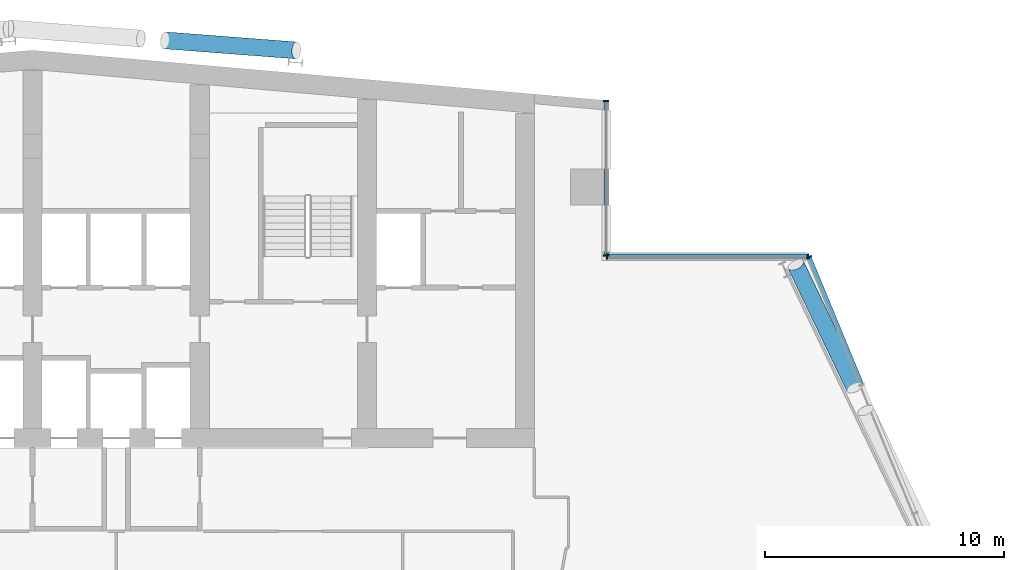
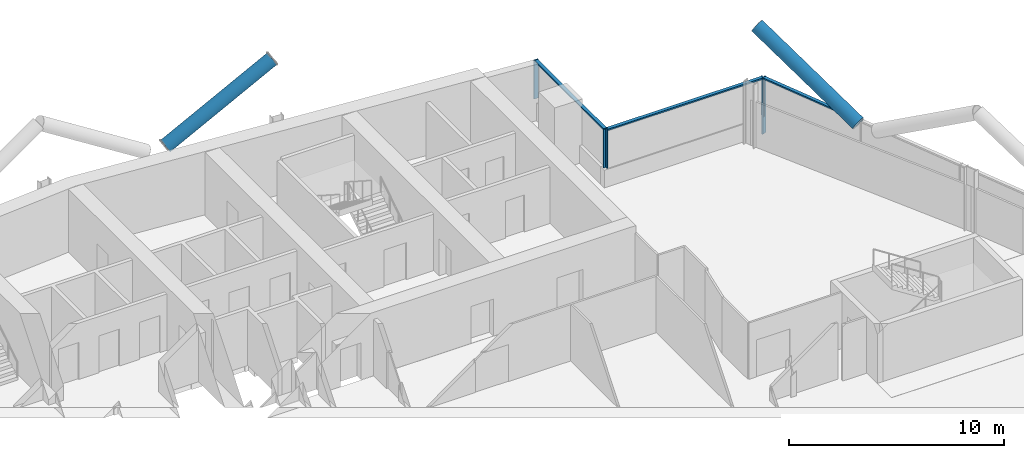
# One storey, part 10 of 26: 10 members, 3 elements without a shape of their own.
"""IFC4 building model written with IfcOpenShell, lengths in metres."""

from ifc_helpers import new_model, si_unit, direction, frame, origin, origin_2d, place, context, subcontext, project, spatial, rectangle, hollow_circle, extrude, material, material_profile, profile_set, type_object, element, aggregate, save


model = new_model("IFC4")

# Units and contexts
model_context = context("Model", 3, precision=1e-05, world=origin(), true_north=direction((0.0, 1.0)))
body_context = subcontext(model_context, "Body", "Model", "MODEL_VIEW")
ifc_project = project(units=[si_unit("LENGTHUNIT", "METRE"), si_unit("AREAUNIT", "SQUARE_METRE"), si_unit("VOLUMEUNIT", "CUBIC_METRE"), si_unit("PLANEANGLEUNIT", "RADIAN"), si_unit("MASSUNIT", "GRAM", prefix="KILO")], contexts=[model_context])

# Site, building, storey
site_placement = place(None, origin())
site = spatial("IfcSite", under=ifc_project, at=site_placement, CompositionType="ELEMENT")
building_placement = place(site_placement, origin())
building = spatial("IfcBuilding", under=site, at=building_placement, Name="Wharfspan Tower", CompositionType="ELEMENT")
storey_placement = place(building_placement, frame((0.0, 0.0, 180.699951)))
storey = spatial("IfcBuildingStorey", under=building, at=storey_placement, Name="L44", CompositionType="ELEMENT", Elevation=180.699951)

# Curtain wall, member
ifc_material_1 = material(Name="Aluminium 6063-T6", Category="aluminium")
curtain_wall_type = type_object("IfcCurtainWallType", Name="CURTAIN WALL PROW AND END", PredefinedType="NOTDEFINED", material=ifc_material_1)
curtain_wall_1_placement = place(storey_placement, origin())
curtain_wall_1 = element("IfcCurtainWall", 1, at=curtain_wall_1_placement, inside=storey, type_object=curtain_wall_type, Name="Curtain wall E", PredefinedType="NOTDEFINED")
ifc_material_profile_1 = material_profile(ifc_material_1, rectangle(XDim=0.23999, YDim=0.060059, at=origin_2d()))
ifc_profile_set_1 = profile_set([ifc_material_profile_1], Name="Aluminium 6063-T6")
member_type_1 = type_object("IfcMemberType", Name="MULLION PROW AND END 60x240", PredefinedType="MULLION", material=ifc_profile_set_1)
member_1_placement = place(storey_placement, frame((69.488525, 41.972168, 0.0), z_axis=(0.0, 0.0, 1.0), x_axis=(-0.924325, -0.381602, 0.0)))
member_1 = element("IfcMember", 2, at=member_1_placement, type_object=member_type_1, Name="Curtain wall E mullion 8", PredefinedType="MULLION", context=body_context, shape_type="SweptSolid", body=[
    extrude(rectangle(XDim=0.23999, YDim=0.060059, at=origin_2d()), origin(), (0.0, 0.0, 1.0), 3.199951),
])

# Curtain wall, members
curtain_wall_2_placement = place(storey_placement, origin())
curtain_wall_2 = element("IfcCurtainWall", 3, at=curtain_wall_2_placement, inside=storey, type_object=curtain_wall_type, Name="Curtain wall NRE-H", PredefinedType="NOTDEFINED")
member_2_placement = place(storey_placement, frame((69.447021, 42.0, 1.0), z_axis=(0.0, 0.0, 1.0), x_axis=(0.0, -1.0, 0.0)))
member_2 = element("IfcMember", 4, at=member_2_placement, type_object=member_type_1, Name="Curtain wall NRE-H mullion 1", PredefinedType="MULLION", context=body_context, shape_type="SweptSolid", body=[
    extrude(rectangle(XDim=0.23999, YDim=0.060059, at=origin_2d()), origin(), (0.0, 0.0, 1.0), 2.199951),
])
member_3_placement = place(storey_placement, frame((61.030029, 42.0, 1.0), z_axis=(0.0, 0.0, 1.0), x_axis=(0.0, -1.0, 0.0)))
member_3 = element("IfcMember", 5, at=member_3_placement, type_object=member_type_1, Name="Curtain wall NRE-H mullion 2", PredefinedType="MULLION", context=body_context, shape_type="SweptSolid", body=[
    extrude(rectangle(XDim=0.23999, YDim=0.060059, at=origin_2d()), origin(), (0.0, 0.0, 1.0), 2.199951),
])

curtain_wall_3_placement = place(storey_placement, origin())
curtain_wall_3 = element("IfcCurtainWall", 6, at=curtain_wall_3_placement, inside=storey, type_object=curtain_wall_type, Name="Curtain wall NRE-V", PredefinedType="NOTDEFINED")
member_4_placement = place(storey_placement, frame((61.0, 42.030029, 1.0), z_axis=(0.0, 0.0, 1.0), x_axis=(-1.0, 0.0, 0.0)))
member_4 = element("IfcMember", 7, at=member_4_placement, type_object=member_type_1, Name="Curtain wall NRE-V mullion 1", PredefinedType="MULLION", context=body_context, shape_type="SweptSolid", body=[
    extrude(rectangle(XDim=0.23999, YDim=0.060059, at=origin_2d()), origin(), (0.0, 0.0, 1.0), 2.199951),
])
member_5_placement = place(storey_placement, frame((61.0, 48.494873, 1.0), z_axis=(0.0, 0.0, 1.0), x_axis=(-1.0, 0.0, 0.0)))
member_5 = element("IfcMember", 8, at=member_5_placement, type_object=member_type_1, Name="Curtain wall NRE-V mullion 2", PredefinedType="MULLION", context=body_context, shape_type="SweptSolid", body=[
    extrude(rectangle(XDim=0.23999, YDim=0.060059, at=origin_2d()), origin(), (0.0, 0.0, 1.0), 2.199951),
])

# Members
ifc_material_2 = material(Name="Steel S460NH", Category="steel")
ifc_material_profile_2 = material_profile(ifc_material_2, hollow_circle(Radius=0.355469, WallThickness=0.035889, at=origin_2d()))
ifc_profile_set_2 = profile_set([ifc_material_profile_2], Name="Steel S460NH")
member_type_2 = type_object("IfcMemberType", Name="Mega brace CHS 711x36", PredefinedType="BRACE", material=ifc_profile_set_2)
member_6_placement = place(storey_placement, frame((71.401123, 36.504395, 3.205811), z_axis=(-0.374119, 0.780731, 0.500494), x_axis=(-0.90181, -0.432137, -3e-06)))
element("IfcMember", 9, at=member_6_placement, inside=storey, type_object=member_type_2, Name="Mega brace E6 L44 part 2", PredefinedType="BRACE", context=body_context, shape_type="SweptSolid", body=[
    extrude(hollow_circle(Radius=0.355469, WallThickness=0.035889, at=origin_2d()), origin(), (0.0, 0.0, 1.0), 6.581787),
])
member_7_placement = place(storey_placement, frame((42.543213, 51.037354, 3.203125), z_axis=(0.855612, -0.065363, 0.513474), x_axis=(0.07617, 0.997093, 2e-06)))
element("IfcMember", 10, at=member_7_placement, inside=storey, type_object=member_type_2, Name="Mega brace N8 L44 part 2", PredefinedType="BRACE", context=body_context, shape_type="SweptSolid", body=[
    extrude(hollow_circle(Radius=0.355469, WallThickness=0.035889, at=origin_2d()), origin(), (0.0, 0.0, 1.0), 6.420654),
])

# Member
ifc_material_profile_3 = material_profile(ifc_material_1, rectangle(XDim=0.179932, YDim=0.080078, at=origin_2d()))
ifc_profile_set_3 = profile_set([ifc_material_profile_3], Name="Aluminium 6063-T6")
member_type_3 = type_object("IfcMemberType", Name="TRANSOM PROW AND END 80x180", PredefinedType="USERDEFINED", material=ifc_profile_set_3)
member_8_placement = place(storey_placement, frame((71.683105, 36.65625, 3.160156), z_axis=(-0.38158, 0.924336, 0.0), x_axis=(-0.924336, -0.38158, 0.0)))
member_8 = element("IfcMember", 11, at=member_8_placement, type_object=member_type_3, Name="Curtain wall E transom 7", ObjectType="TRANSOM", PredefinedType="USERDEFINED", context=body_context, shape_type="SweptSolid", body=[
    extrude(rectangle(XDim=0.179932, YDim=0.080078, at=origin_2d()), origin(), (0.0, 0.0, 1.0), 5.721191),
])

aggregate(curtain_wall_1, [member_1, member_8])

member_9_placement = place(storey_placement, frame((69.416992, 42.0, 3.160156), z_axis=(-1.0, 0.0, 0.0), x_axis=(0.0, -1.0, 0.0)))
member_9 = element("IfcMember", 12, at=member_9_placement, type_object=member_type_3, Name="Curtain wall NRE-H transom 1", ObjectType="TRANSOM", PredefinedType="USERDEFINED", context=body_context, shape_type="SweptSolid", body=[
    extrude(rectangle(XDim=0.179932, YDim=0.080078, at=origin_2d()), origin(), (0.0, 0.0, 1.0), 8.356934),
])

aggregate(curtain_wall_2, [member_2, member_3, member_9])

member_10_placement = place(storey_placement, frame((61.0, 42.060059, 3.160156), z_axis=(0.0, 1.0, 0.0), x_axis=(-1.0, 0.0, 0.0)))
member_10 = element("IfcMember", 13, at=member_10_placement, type_object=member_type_3, Name="Curtain wall NRE-V transom 1", ObjectType="TRANSOM", PredefinedType="USERDEFINED", context=body_context, shape_type="SweptSolid", body=[
    extrude(rectangle(XDim=0.179932, YDim=0.080078, at=origin_2d()), origin(), (0.0, 0.0, 1.0), 6.404785),
])

aggregate(curtain_wall_3, [member_4, member_5, member_10])

save(model, "model.ifc")
